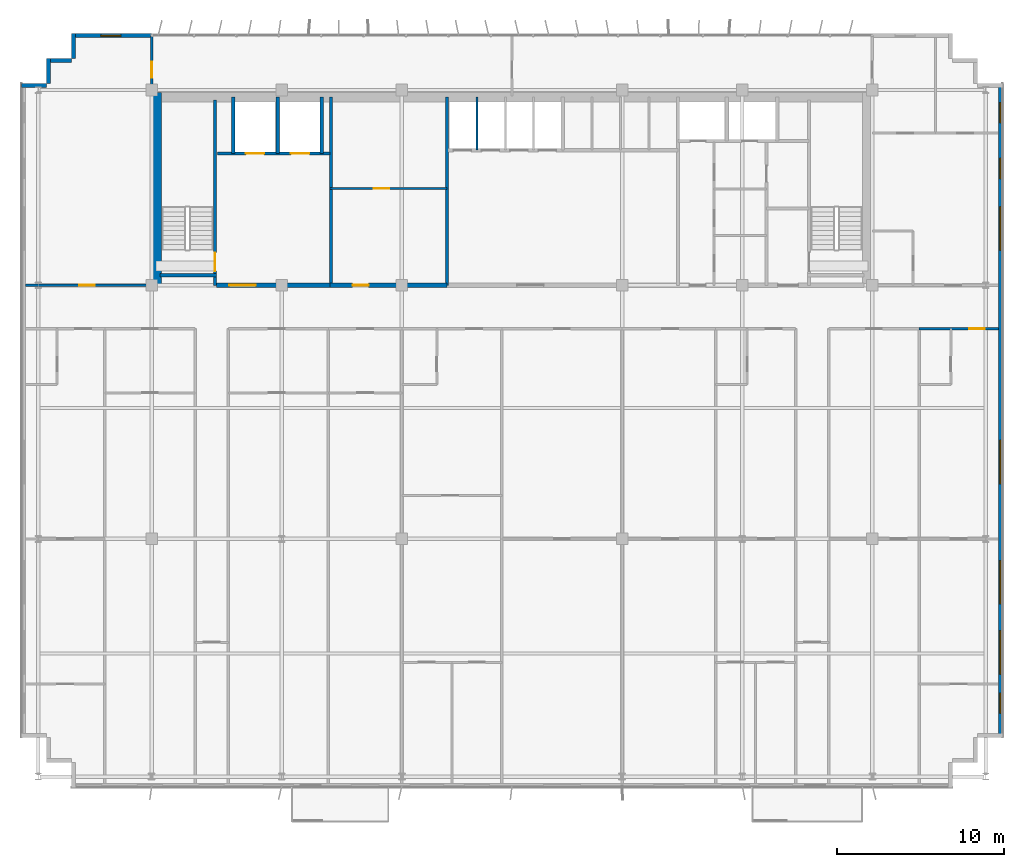
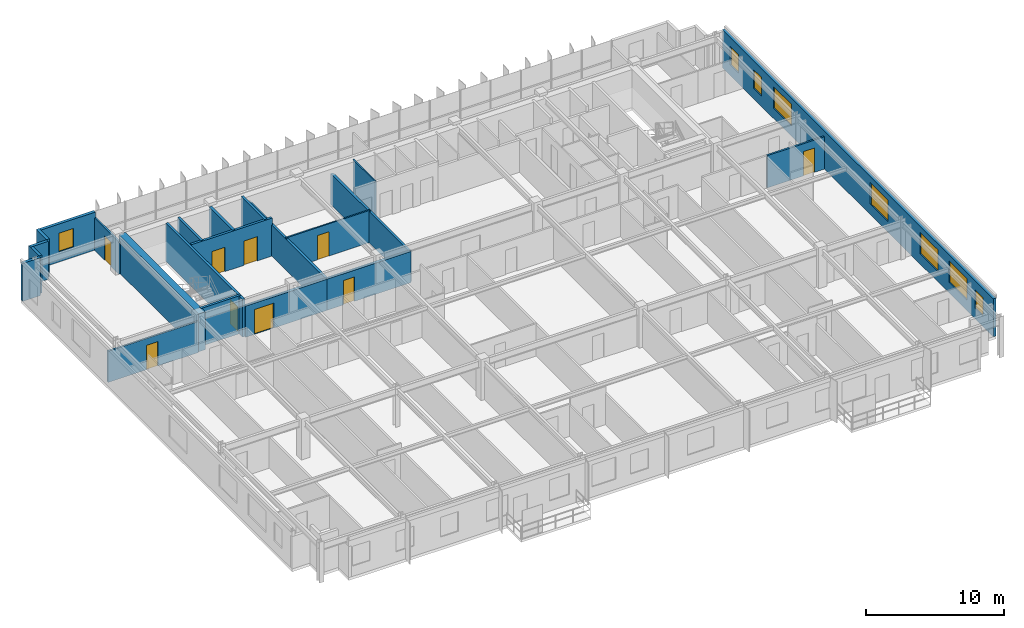
# One storey, part 17 of 21: 22 walls, 9 doors, 8 windows, 17 openings.
"""IFC4 building model written with IfcOpenShell, lengths in metres."""

from ifc_helpers import new_model, si_unit, direction, frame, frame_2d, origin, place, context, subcontext, project, spatial, rectangle, extrude, source, transform, mapped, material, layer, layer_set, type_object, element, fill, save


model = new_model("IFC4")

# Units and contexts
model_context = context("Model", 3, precision=1e-05, world=origin(), true_north=direction((0.0, 1.0)))
body_context = subcontext(model_context, "Body", "Model", "MODEL_VIEW")
ifc_project = project(units=[si_unit("LENGTHUNIT", "METRE"), si_unit("AREAUNIT", "SQUARE_METRE"), si_unit("VOLUMEUNIT", "CUBIC_METRE"), si_unit("PLANEANGLEUNIT", "RADIAN"), si_unit("MASSUNIT", "GRAM", prefix="KILO")], contexts=[model_context])

# Site, building, storey
site_placement = place(None, origin())
site = spatial("IfcSite", under=ifc_project, at=site_placement, CompositionType="ELEMENT")
building_placement = place(site_placement, origin())
building = spatial("IfcBuilding", under=site, at=building_placement, Name="Trelvane Seafront Commons", CompositionType="ELEMENT")
storey_placement = place(building_placement, frame((0.0, 0.0, 153.699951171875)))
storey = spatial("IfcBuildingStorey", under=building, at=storey_placement, Name="L40", CompositionType="ELEMENT", Elevation=153.699951171875)

# Wall, opening, window
ifc_material_1 = material(Name="Precast concrete C40/50", Category="concrete")
ifc_layer_1 = layer(ifc_material_1, 0.239990234375, Name="ARCH-WALL-EXT240")
ifc_layer_set_1 = layer_set([ifc_layer_1], Name="Precast concrete C40/50")
wall_type_1 = type_object("IfcWallType", Name="ARCH-WALL-EXT240", PredefinedType="SOLIDWALL", material=ifc_layer_set_1)
wall_1_placement = place(storey_placement, frame((10.89990234375, 48.3701171875, 0.0), z_axis=(0.0, 0.0, 1.0), x_axis=(1.0, 0.0, 0.0)))
wall_1 = element("IfcWall", 1, at=wall_1_placement, inside=storey, type_object=wall_type_1, Name="EW-L40-NW-0779", PredefinedType="SOLIDWALL", context=body_context, shape_type="SweptSolid", body=[
    extrude(rectangle(XDim=4.7001953125, YDim=0.239990234375, at=frame_2d((2.35009765625, 0.0))), origin(), (0.0, 0.0, 1.0), 3.35009765625),
])
opening_1_placement = place(wall_1_placement, frame((1.658935546875, 0.0, 0.89990234375)))
opening_1 = element("IfcOpeningElement", 2, at=opening_1_placement, cuts=wall_1, Name="Opening W05", PredefinedType="OPENING", context=body_context, shape_type="SweptSolid", body=[
    extrude(rectangle(XDim=1.199951171875, YDim=1.64990234375, at=frame_2d((0.60009765625, 0.824951171875))), frame((0.0, 0.1298828125, 0.0), z_axis=(0.0, -1.0, 0.0), x_axis=(1.0, 0.0, 0.0)), (0.0, 0.0, 1.0), 0.260009765625),
])
ifc_material_2 = material(Name="Low-E coastal double glazing", Category="glass")
window_type_1 = type_object("IfcWindowType", Name="ARCH-WIN-W05", PartitioningType="SINGLE_PANEL", PredefinedType="WINDOW", material=ifc_material_2)
shared_shape_1 = source(origin(), body_context, "Body", "SweptSolid", [
    extrude(rectangle(XDim=1.199951171875, YDim=1.64990234375, at=frame_2d((0.60009765625, 0.824951171875))), frame((0.0, 0.030029296875, 0.0), z_axis=(0.0, -1.0, 0.0), x_axis=(1.0, 0.0, 0.0)), (0.0, 0.0, 1.0), 0.06005859375),
])
window_1_placement = place(opening_1_placement, origin())
window_1 = element("IfcWindow", 3, at=window_1_placement, inside=storey, type_object=window_type_1, Name="WIN-L40-00925", OverallHeight=1.64990234375, OverallWidth=1.199951171875, PartitioningType="SINGLE_PANEL", PredefinedType="WINDOW", context=body_context, shape_type="MappedRepresentation", body=[
    mapped(shared_shape_1, transform((0.0, 0.0, 0.0), x_axis=(1.0, 0.0, 0.0), y_axis=(0.0, 1.0, 0.0), z_axis=(0.0, 0.0, 1.0), scale=1.0)),
])
fill(opening_1, window_1)

# Walls
for number, where, z_axis, x_axis, name in (
    (4, (7.800048828125, 45.3798828125, 0.0), (0.0, 0.0, 1.0), (1.0, 0.0, 0.0), "EW-L40-00785"),
    (5, (9.419921875, 45.5, 0.0), (0.0, 0.0, 1.0), (0.0, 1.0, 0.0), "EW-L40-00786"),
    (6, (9.300048828125, 46.8798828125, 0.0), (0.0, 0.0, 1.0), (1.0, 0.0, 0.0), "EW-L40-00787"),
    (7, (10.919921875, 47.0, 0.0), (0.0, 0.0, 1.0), (0.0, 1.0, 0.0), "EW-L40-00788"),
):
    element("IfcWall", number, at=place(storey_placement, frame(where, z_axis=z_axis, x_axis=x_axis)), inside=storey, type_object=wall_type_1, Name=name, PredefinedType="SOLIDWALL", context=body_context, shape_type="SweptSolid", body=[
        extrude(rectangle(XDim=1.5, YDim=0.239990234375, at=frame_2d((0.75, 0.0))), origin(), (0.0, 0.0, 1.0), 3.35009765625),
    ])

# Wall, openings, windows
wall_2_placement = place(storey_placement, frame((66.47998046875, 45.5, 0.0), z_axis=(0.0, 0.0, 1.0), x_axis=(0.0, -1.0, 0.0)))
wall_2 = element("IfcWall", 8, at=wall_2_placement, inside=storey, type_object=wall_type_1, Name="EW-L40-00793", PredefinedType="SOLIDWALL", context=body_context, shape_type="SweptSolid", body=[
    extrude(rectangle(XDim=39.199951171875, YDim=0.239990234375, at=frame_2d((19.60009765625, 0.0))), origin(), (0.0, 0.0, 1.0), 3.35009765625),
])
opening_2_placement = place(wall_2_placement, frame((36.550048828125, 0.0, 0.919921875)))
opening_2 = element("IfcOpeningElement", 9, at=opening_2_placement, cuts=wall_2, Name="Opening W05", PredefinedType="OPENING", context=body_context, shape_type="SweptSolid", body=[
    extrude(rectangle(XDim=1.199951171875, YDim=1.64990234375, at=frame_2d((0.60009765625, 0.824951171875))), frame((0.0, 0.1298828125, 0.0), z_axis=(0.0, -1.0, 0.0), x_axis=(1.0, 0.0, 0.0)), (0.0, 0.0, 1.0), 0.260009765625),
])
opening_3_placement = place(wall_2_placement, frame((32.800048828125, 0.0, 0.919921875)))
opening_3 = element("IfcOpeningElement", 10, at=opening_3_placement, cuts=wall_2, Name="Opening W04", PredefinedType="OPENING", context=body_context, shape_type="SweptSolid", body=[
    extrude(rectangle(XDim=2.60009765625, YDim=1.89990234375, at=frame_2d((1.300048828125, 0.949951171875))), frame((0.0, 0.1298828125, 0.0), z_axis=(0.0, -1.0, 0.0), x_axis=(1.0, 0.0, 0.0)), (0.0, 0.0, 1.0), 0.260009765625),
])
opening_4_placement = place(wall_2_placement, frame((28.60009765625, 0.0, 0.919921875)))
opening_4 = element("IfcOpeningElement", 11, at=opening_4_placement, cuts=wall_2, Name="Opening W04", PredefinedType="OPENING", context=body_context, shape_type="SweptSolid", body=[
    extrude(rectangle(XDim=2.60009765625, YDim=1.89990234375, at=frame_2d((1.300048828125, 0.949951171875))), frame((0.0, 0.1298828125, 0.0), z_axis=(0.0, -1.0, 0.0), x_axis=(1.0, 0.0, 0.0)), (0.0, 0.0, 1.0), 0.260009765625),
])
opening_5_placement = place(wall_2_placement, frame((21.39990234375, 0.0, 0.919921875)))
opening_5 = element("IfcOpeningElement", 12, at=opening_5_placement, cuts=wall_2, Name="Opening W04", PredefinedType="OPENING", context=body_context, shape_type="SweptSolid", body=[
    extrude(rectangle(XDim=2.60009765625, YDim=1.89990234375, at=frame_2d((1.300048828125, 0.949951171875))), frame((0.0, 0.1298828125, 0.0), z_axis=(0.0, -1.0, 0.0), x_axis=(1.0, 0.0, 0.0)), (0.0, 0.0, 1.0), 0.260009765625),
])
opening_6_placement = place(wall_2_placement, frame((7.39990234375, 0.0, 0.919921875)))
opening_6 = element("IfcOpeningElement", 13, at=opening_6_placement, cuts=wall_2, Name="Opening W04", PredefinedType="OPENING", context=body_context, shape_type="SweptSolid", body=[
    extrude(rectangle(XDim=2.60009765625, YDim=1.89990234375, at=frame_2d((1.300048828125, 0.949951171875))), frame((0.0, 0.1298828125, 0.0), z_axis=(0.0, -1.0, 0.0), x_axis=(1.0, 0.0, 0.0)), (0.0, 0.0, 1.0), 0.260009765625),
])
opening_7_placement = place(wall_2_placement, frame((4.5, 0.0, 0.919921875)))
opening_7 = element("IfcOpeningElement", 14, at=opening_7_placement, cuts=wall_2, Name="Opening W05", PredefinedType="OPENING", context=body_context, shape_type="SweptSolid", body=[
    extrude(rectangle(XDim=1.199951171875, YDim=1.64990234375, at=frame_2d((0.60009765625, 0.824951171875))), frame((0.0, 0.1298828125, 0.0), z_axis=(0.0, -1.0, 0.0), x_axis=(1.0, 0.0, 0.0)), (0.0, 0.0, 1.0), 0.260009765625),
])
opening_8_placement = place(wall_2_placement, frame((1.14990234375, 0.0, 0.919921875)))
opening_8 = element("IfcOpeningElement", 15, at=opening_8_placement, cuts=wall_2, Name="Opening W05", PredefinedType="OPENING", context=body_context, shape_type="SweptSolid", body=[
    extrude(rectangle(XDim=1.199951171875, YDim=1.64990234375, at=frame_2d((0.60009765625, 0.824951171875))), frame((0.0, 0.1298828125, 0.0), z_axis=(0.0, -1.0, 0.0), x_axis=(1.0, 0.0, 0.0)), (0.0, 0.0, 1.0), 0.260009765625),
])
window_type_2 = type_object("IfcWindowType", Name="ARCH-WIN-W04", PartitioningType="SINGLE_PANEL", PredefinedType="WINDOW", material=ifc_material_2)
shared_shape_2 = source(origin(), body_context, "Body", "SweptSolid", [
    extrude(rectangle(XDim=2.60009765625, YDim=1.89990234375, at=frame_2d((1.300048828125, 0.949951171875))), frame((0.0, 0.030029296875, 0.0), z_axis=(0.0, -1.0, 0.0), x_axis=(1.0, 0.0, 0.0)), (0.0, 0.0, 1.0), 0.06005859375),
])
window_2_placement = place(opening_3_placement, origin())
window_2 = element("IfcWindow", 16, at=window_2_placement, inside=storey, type_object=window_type_2, Name="WIN-L40-EW-00935", OverallHeight=1.89990234375, OverallWidth=2.60009765625, PartitioningType="SINGLE_PANEL", PredefinedType="WINDOW", context=body_context, shape_type="MappedRepresentation", body=[
    mapped(shared_shape_2, transform((0.0, 0.0, 0.0), x_axis=(1.0, 0.0, 0.0), y_axis=(0.0, 1.0, 0.0), z_axis=(0.0, 0.0, 1.0), scale=1.0)),
])
fill(opening_3, window_2)
window_3_placement = place(opening_4_placement, origin())
window_3 = element("IfcWindow", 17, at=window_3_placement, inside=storey, type_object=window_type_2, Name="WIN-L40-EW-00936", OverallHeight=1.89990234375, OverallWidth=2.60009765625, PartitioningType="SINGLE_PANEL", PredefinedType="WINDOW", context=body_context, shape_type="MappedRepresentation", body=[
    mapped(shared_shape_2, transform((0.0, 0.0, 0.0), x_axis=(1.0, 0.0, 0.0), y_axis=(0.0, 1.0, 0.0), z_axis=(0.0, 0.0, 1.0), scale=1.0)),
])
fill(opening_4, window_3)
window_4_placement = place(opening_5_placement, origin())
window_4 = element("IfcWindow", 18, at=window_4_placement, inside=storey, type_object=window_type_2, Name="WIN-L40-EW-00937", OverallHeight=1.89990234375, OverallWidth=2.60009765625, PartitioningType="SINGLE_PANEL", PredefinedType="WINDOW", context=body_context, shape_type="MappedRepresentation", body=[
    mapped(shared_shape_2, transform((0.0, 0.0, 0.0), x_axis=(1.0, 0.0, 0.0), y_axis=(0.0, 1.0, 0.0), z_axis=(0.0, 0.0, 1.0), scale=1.0)),
])
fill(opening_5, window_4)
window_5_placement = place(opening_6_placement, origin())
window_5 = element("IfcWindow", 19, at=window_5_placement, inside=storey, type_object=window_type_2, Name="WIN-L40-EW-00938", OverallHeight=1.89990234375, OverallWidth=2.60009765625, PartitioningType="SINGLE_PANEL", PredefinedType="WINDOW", context=body_context, shape_type="MappedRepresentation", body=[
    mapped(shared_shape_2, transform((0.0, 0.0, 0.0), x_axis=(1.0, 0.0, 0.0), y_axis=(0.0, 1.0, 0.0), z_axis=(0.0, 0.0, 1.0), scale=1.0)),
])
fill(opening_6, window_5)
window_6_placement = place(opening_2_placement, origin())
window_6 = element("IfcWindow", 20, at=window_6_placement, inside=storey, type_object=window_type_1, Name="WIN-L40-EW-00934", OverallHeight=1.64990234375, OverallWidth=1.199951171875, PartitioningType="SINGLE_PANEL", PredefinedType="WINDOW", context=body_context, shape_type="MappedRepresentation", body=[
    mapped(shared_shape_1, transform((0.0, 0.0, 0.0), x_axis=(1.0, 0.0, 0.0), y_axis=(0.0, 1.0, 0.0), z_axis=(0.0, 0.0, 1.0), scale=1.0)),
])
fill(opening_2, window_6)
window_7_placement = place(opening_7_placement, origin())
window_7 = element("IfcWindow", 21, at=window_7_placement, inside=storey, type_object=window_type_1, Name="WIN-L40-EW-00939", OverallHeight=1.64990234375, OverallWidth=1.199951171875, PartitioningType="SINGLE_PANEL", PredefinedType="WINDOW", context=body_context, shape_type="MappedRepresentation", body=[
    mapped(shared_shape_1, transform((0.0, 0.0, 0.0), x_axis=(1.0, 0.0, 0.0), y_axis=(0.0, 1.0, 0.0), z_axis=(0.0, 0.0, 1.0), scale=1.0)),
])
fill(opening_7, window_7)
window_8_placement = place(opening_8_placement, origin())
window_8 = element("IfcWindow", 22, at=window_8_placement, inside=storey, type_object=window_type_1, Name="WIN-L40-EW-00940", OverallHeight=1.64990234375, OverallWidth=1.199951171875, PartitioningType="SINGLE_PANEL", PredefinedType="WINDOW", context=body_context, shape_type="MappedRepresentation", body=[
    mapped(shared_shape_1, transform((0.0, 0.0, 0.0), x_axis=(1.0, 0.0, 0.0), y_axis=(0.0, 1.0, 0.0), z_axis=(0.0, 0.0, 1.0), scale=1.0)),
])
fill(opening_8, window_8)

# Wall, opening, door
ifc_material_3 = material(Name="Concrete C40/50", Category="concrete")
ifc_layer_2 = layer(ifc_material_3, 0.25, Name="ARCH-WALL-FIRE250")
ifc_layer_set_2 = layer_set([ifc_layer_2], Name="Concrete C40/50")
wall_type_2 = type_object("IfcWallType", Name="ARCH-WALL-FIRE250", PredefinedType="PARTITIONING", material=ifc_layer_set_2)
wall_3_placement = place(storey_placement, frame((19.5, 33.39990234375, 0.0), z_axis=(0.0, 0.0, 1.0), x_axis=(1.0, 0.0, 0.0)))
wall_3 = element("IfcWall", 23, at=wall_3_placement, inside=storey, type_object=wall_type_2, Name="W-L40-CS-FFL-013", PredefinedType="PARTITIONING", context=body_context, shape_type="SweptSolid", body=[
    extrude(rectangle(XDim=6.800048828125, YDim=0.25, at=frame_2d((3.39990234375, 0.0))), origin(), (0.0, 0.0, 1.0), 2.75),
])
opening_9_placement = place(wall_3_placement, frame((0.75, 0.0, 0.0)))
opening_9 = element("IfcOpeningElement", 24, at=opening_9_placement, cuts=wall_3, Name="Opening FD-L40-05", PredefinedType="OPENING", context=body_context, shape_type="SweptSolid", body=[
    extrude(rectangle(XDim=1.60009765625, YDim=2.199951171875, at=frame_2d((0.800048828125, 1.10009765625))), frame((0.0, 0.135009765625, 0.0), z_axis=(0.0, -1.0, 0.0), x_axis=(1.0, 0.0, 0.0)), (0.0, 0.0, 1.0), 0.27001953125),
])
ifc_material_4 = material(Name="Powder-coated aluminium frame", Category="aluminium")
door_type_1 = type_object("IfcDoorType", Name="ARCH-DR-FD60-1600", OperationType="DOUBLE_DOOR_SINGLE_SWING", PredefinedType="DOOR", material=ifc_material_4)
shared_shape_3 = source(origin(), body_context, "Body", "SweptSolid", [
    extrude(rectangle(XDim=1.60009765625, YDim=2.199951171875, at=frame_2d((0.800048828125, 1.10009765625))), frame((0.0, 0.02490234375, 0.0), z_axis=(0.0, -1.0, 0.0), x_axis=(1.0, 0.0, 0.0)), (0.0, 0.0, 1.0), 0.050048828125),
])
door_1_placement = place(opening_9_placement, origin())
door_1 = element("IfcDoor", 25, at=door_1_placement, inside=storey, type_object=door_type_1, Name="L40 Firefighting Lift Lobby Double Fire Door", OperationType="DOUBLE_DOOR_SINGLE_SWING", OverallHeight=2.199951171875, OverallWidth=1.60009765625, PredefinedType="DOOR", context=body_context, shape_type="MappedRepresentation", body=[
    mapped(shared_shape_3, transform((0.0, 0.0, 0.0), x_axis=(1.0, 0.0, 0.0), y_axis=(0.0, 1.0, 0.0), z_axis=(0.0, 0.0, 1.0), scale=1.0)),
])
fill(opening_9, door_1)

wall_4_placement = place(storey_placement, frame((26.300048828125, 33.39990234375, 0.0), z_axis=(0.0, 0.0, 1.0), x_axis=(1.0, 0.0, 0.0)))
wall_4 = element("IfcWall", 26, at=wall_4_placement, inside=storey, type_object=wall_type_2, Name="W-L40-CS-FPL-026", PredefinedType="PARTITIONING", context=body_context, shape_type="SweptSolid", body=[
    extrude(rectangle(XDim=7.0, YDim=0.25, at=frame_2d((3.5, 0.0))), origin(), (0.0, 0.0, 1.0), 2.75),
])
opening_10_placement = place(wall_4_placement, frame((1.35009765625, 0.0, 0.0)))
opening_10 = element("IfcOpeningElement", 27, at=opening_10_placement, cuts=wall_4, Name="Opening D-L40-11", PredefinedType="OPENING", context=body_context, shape_type="SweptSolid", body=[
    extrude(rectangle(XDim=0.949951171875, YDim=2.14990234375, at=frame_2d((0.47509765625, 1.074951171875))), frame((0.0, 0.135009765625, 0.0), z_axis=(0.0, -1.0, 0.0), x_axis=(1.0, 0.0, 0.0)), (0.0, 0.0, 1.0), 0.27001953125),
])
ifc_material_5 = material(Name="Acoustic timber door leaf", Category="wood")
door_type_2 = type_object("IfcDoorType", Name="ARCH-DR-INT950", OperationType="NOTDEFINED", PredefinedType="DOOR", material=ifc_material_5)
shared_shape_4 = source(origin(), body_context, "Body", "SweptSolid", [
    extrude(rectangle(XDim=0.949951171875, YDim=2.14990234375, at=frame_2d((0.47509765625, 1.074951171875))), frame((0.0, 0.02490234375, 0.0), z_axis=(0.0, -1.0, 0.0), x_axis=(1.0, 0.0, 0.0)), (0.0, 0.0, 1.0), 0.050048828125),
])
door_2_placement = place(opening_10_placement, origin())
door_2 = element("IfcDoor", 28, at=door_2_placement, inside=storey, type_object=door_type_2, Name="L40 Floor Pantry Entrance Door", OperationType="SINGLE_SWING_LEFT", OverallHeight=2.14990234375, OverallWidth=0.949951171875, PredefinedType="DOOR", context=body_context, shape_type="MappedRepresentation", body=[
    mapped(shared_shape_4, transform((0.0, 0.0, 0.0), x_axis=(1.0, 0.0, 0.0), y_axis=(0.0, 1.0, 0.0), z_axis=(0.0, 0.0, 1.0), scale=1.0)),
])
fill(opening_10, door_2)

ifc_material_6 = material(Name="Gypsum Drywall Acoustic Partition")
ifc_layer_3 = layer(ifc_material_6, 0.1201171875, Name="ARCH-WALL-PART120")
ifc_layer_set_3 = layer_set([ifc_layer_3], Name="Gypsum Drywall Acoustic Partition")
wall_type_3 = type_object("IfcWallType", Name="ARCH-WALL-PART120", PredefinedType="PARTITIONING", material=ifc_layer_set_3)
wall_5_placement = place(storey_placement, frame((26.300048828125, 39.199951171875, 0.0), z_axis=(0.0, 0.0, 1.0), x_axis=(1.0, 0.0, 0.0)))
wall_5 = element("IfcWall", 29, at=wall_5_placement, inside=storey, type_object=wall_type_3, Name="W-L40-FREED-PL-MID-014", PredefinedType="PARTITIONING", context=body_context, shape_type="SweptSolid", body=[
    extrude(rectangle(XDim=7.0, YDim=0.1201171875, at=frame_2d((3.5, 0.0))), origin(), (0.0, 0.0, 1.0), 2.85009765625),
])
opening_11_placement = place(wall_5_placement, frame((2.60009765625, 0.0, 0.0)))
opening_11 = element("IfcOpeningElement", 30, at=opening_11_placement, cuts=wall_5, Name="Opening D-L40-06", PredefinedType="OPENING", context=body_context, shape_type="SweptSolid", body=[
    extrude(rectangle(XDim=0.949951171875, YDim=2.14990234375, at=frame_2d((0.47509765625, 1.074951171875))), frame((0.0, 0.070068359375, 0.0), z_axis=(0.0, -1.0, 0.0), x_axis=(1.0, 0.0, 0.0)), (0.0, 0.0, 1.0), 0.14013671875),
])
door_3_placement = place(opening_11_placement, origin())
door_3 = element("IfcDoor", 31, at=door_3_placement, inside=storey, type_object=door_type_2, Name="L40 Housekeeping Store Door", OperationType="SINGLE_SWING_RIGHT", OverallHeight=2.14990234375, OverallWidth=0.949951171875, PredefinedType="DOOR", context=body_context, shape_type="MappedRepresentation", body=[
    mapped(shared_shape_4, transform((0.0, 0.0, 0.0), x_axis=(1.0, 0.0, 0.0), y_axis=(0.0, 1.0, 0.0), z_axis=(0.0, 0.0, 1.0), scale=1.0)),
])
fill(opening_11, door_3)

# Wall
wall_6_placement = place(storey_placement, frame((35.10009765625, 41.5, 0.0), z_axis=(0.0, 0.0, 1.0), x_axis=(0.0, 1.0, 0.0)))
element("IfcWall", 32, at=wall_6_placement, inside=storey, type_object=wall_type_3, Name="W-L40-PM-DIV1-017", PredefinedType="PARTITIONING", context=body_context, shape_type="SweptSolid", body=[
    extrude(rectangle(XDim=3.199951171875, YDim=0.1201171875, at=frame_2d((1.60009765625, 0.0))), origin(), (0.0, 0.0, 1.0), 3.35009765625),
])

# Wall, opening, door
ifc_layer_4 = layer(ifc_material_6, 0.14990234375, Name="ARCH-WALL-PART150")
ifc_layer_set_4 = layer_set([ifc_layer_4], Name="Gypsum Drywall Acoustic Partition")
wall_type_4 = type_object("IfcWallType", Name="ARCH-WALL-PART150", PredefinedType="PARTITIONING", material=ifc_layer_set_4)
wall_7_placement = place(storey_placement, frame((8.050048828125, 33.39990234375, 0.0), z_axis=(0.0, 0.0, 1.0), x_axis=(1.0, 0.0, 0.0)))
wall_7 = element("IfcWall", 33, at=wall_7_placement, inside=storey, type_object=wall_type_4, Name="W-L40-NW-ENT-037", PredefinedType="PARTITIONING", context=body_context, shape_type="SweptSolid", body=[
    extrude(rectangle(XDim=7.550048828125, YDim=0.14990234375, at=frame_2d((3.77490234375, 0.0))), origin(), (0.0, 0.0, 1.0), 2.75),
])
opening_12_placement = place(wall_7_placement, frame((3.199951171875, 0.0, 0.0)))
opening_12 = element("IfcOpeningElement", 34, at=opening_12_placement, cuts=wall_7, Name="Opening FD-L40-21", PredefinedType="OPENING", context=body_context, shape_type="SweptSolid", body=[
    extrude(rectangle(XDim=0.949951171875, YDim=2.14990234375, at=frame_2d((0.47509765625, 1.074951171875))), frame((0.0, 0.0849609375, 0.0), z_axis=(0.0, -1.0, 0.0), x_axis=(1.0, 0.0, 0.0)), (0.0, 0.0, 1.0), 0.169921875),
])
door_type_3 = type_object("IfcDoorType", Name="ARCH-DR-FD60-950", OperationType="NOTDEFINED", PredefinedType="DOOR", material=ifc_material_4)
door_4_placement = place(opening_12_placement, origin())
door_4 = element("IfcDoor", 35, at=door_4_placement, inside=storey, type_object=door_type_3, Name="L40 NW Suite Entrance Door", OperationType="SINGLE_SWING_LEFT", OverallHeight=2.14990234375, OverallWidth=0.949951171875, PredefinedType="DOOR", context=body_context, shape_type="MappedRepresentation", body=[
    mapped(shared_shape_4, transform((0.0, 0.0, 0.0), x_axis=(1.0, 0.0, 0.0), y_axis=(0.0, 1.0, 0.0), z_axis=(0.0, 0.0, 1.0), scale=1.0)),
])
fill(opening_12, door_4)

wall_8_placement = place(storey_placement, frame((15.60009765625, 44.75, 0.0), z_axis=(0.0, 0.0, 1.0), x_axis=(0.0, 1.0, 0.0)))
wall_8 = element("IfcWall", 36, at=wall_8_placement, inside=storey, type_object=wall_type_4, Name="W-L40-N-LINK-W-045", PredefinedType="PARTITIONING", context=body_context, shape_type="SweptSolid", body=[
    extrude(rectangle(XDim=3.610107421875, YDim=0.14990234375, at=frame_2d((1.80517578125, 0.0))), origin(), (0.0, 0.0, 1.0), 2.85009765625),
])
opening_13_placement = place(wall_8_placement, frame((1.10009765625, 0.0, 0.0)))
opening_13 = element("IfcOpeningElement", 37, at=opening_13_placement, cuts=wall_8, Name="Opening FD-L40-27", PredefinedType="OPENING", context=body_context, shape_type="SweptSolid", body=[
    extrude(rectangle(XDim=0.949951171875, YDim=2.14990234375, at=frame_2d((0.47509765625, 1.074951171875))), frame((0.0, 0.0849609375, 0.0), z_axis=(0.0, -1.0, 0.0), x_axis=(1.0, 0.0, 0.0)), (0.0, 0.0, 1.0), 0.169921875),
])
door_5_placement = place(opening_13_placement, origin())
door_5 = element("IfcDoor", 38, at=door_5_placement, inside=storey, type_object=door_type_3, Name="L40 Door 27", OperationType="SINGLE_SWING_LEFT", OverallHeight=2.14990234375, OverallWidth=0.949951171875, PredefinedType="DOOR", context=body_context, shape_type="MappedRepresentation", body=[
    mapped(shared_shape_4, transform((0.0, 0.0, 0.0), x_axis=(1.0, 0.0, 0.0), y_axis=(0.0, 1.0, 0.0), z_axis=(0.0, 0.0, 1.0), scale=1.0)),
])
fill(opening_13, door_5)

wall_9_placement = place(storey_placement, frame((61.60009765625, 30.800048828125, 0.0), z_axis=(0.0, 0.0, 1.0), x_axis=(1.0, 0.0, 0.0)))
wall_9 = element("IfcWall", 39, at=wall_9_placement, inside=storey, type_object=wall_type_4, Name="W-L40-CS-BAY-12-094", PredefinedType="PARTITIONING", context=body_context, shape_type="SweptSolid", body=[
    extrude(rectangle(XDim=4.77490234375, YDim=0.14990234375, at=frame_2d((2.387451171875, 0.0))), origin(), (0.0, 0.0, 1.0), 2.85009765625),
])
opening_14_placement = place(wall_9_placement, frame((2.993896484375, 0.0, 0.0)))
opening_14 = element("IfcOpeningElement", 40, at=opening_14_placement, cuts=wall_9, Name="Opening FD-L40-59", PredefinedType="OPENING", context=body_context, shape_type="SweptSolid", body=[
    extrude(rectangle(XDim=0.949951171875, YDim=2.14990234375, at=frame_2d((0.47509765625, 1.074951171875))), frame((0.0, 0.0849609375, 0.0), z_axis=(0.0, -1.0, 0.0), x_axis=(1.0, 0.0, 0.0)), (0.0, 0.0, 1.0), 0.169921875),
])
door_6_placement = place(opening_14_placement, origin())
door_6 = element("IfcDoor", 41, at=door_6_placement, inside=storey, type_object=door_type_3, Name="L40 Unit 12 Entrance Door", OperationType="SINGLE_SWING_LEFT", OverallHeight=2.14990234375, OverallWidth=0.949951171875, PredefinedType="DOOR", context=body_context, shape_type="MappedRepresentation", body=[
    mapped(shared_shape_4, transform((0.0, 0.0, 0.0), x_axis=(1.0, 0.0, 0.0), y_axis=(0.0, 1.0, 0.0), z_axis=(0.0, 0.0, 1.0), scale=1.0)),
])
fill(opening_14, door_6)

# Wall, openings, doors
ifc_layer_5 = layer(ifc_material_3, 0.199951171875, Name="ARCH-WALL-SHAFT200")
ifc_layer_set_5 = layer_set([ifc_layer_5], Name="Concrete C40/50")
wall_type_5 = type_object("IfcWallType", Name="ARCH-WALL-SHAFT200", PredefinedType="SOLIDWALL", material=ifc_layer_set_5)
wall_10_placement = place(storey_placement, frame((19.550048828125, 41.300048828125, 0.0), z_axis=(0.0, 0.0, 1.0), x_axis=(1.0, 0.0, 0.0)))
wall_10 = element("IfcWall", 42, at=wall_10_placement, inside=storey, type_object=wall_type_5, Name="W-L40-FFL-FRONT-008", PredefinedType="SOLIDWALL", context=body_context, shape_type="SweptSolid", body=[
    extrude(rectangle(XDim=6.75, YDim=0.199951171875, at=frame_2d((3.375, 0.0))), origin(), (0.0, 0.0, 1.0), 3.35009765625),
])
opening_15_placement = place(wall_10_placement, frame((1.699951171875, 0.0, 0.0)))
opening_15 = element("IfcOpeningElement", 43, at=opening_15_placement, cuts=wall_10, Name="Opening LD-FF1-L40", PredefinedType="OPENING", context=body_context, shape_type="SweptSolid", body=[
    extrude(rectangle(XDim=1.10009765625, YDim=2.14990234375, at=frame_2d((0.550048828125, 1.074951171875))), frame((0.0, 0.10986328125, 0.0), z_axis=(0.0, -1.0, 0.0), x_axis=(1.0, 0.0, 0.0)), (0.0, 0.0, 1.0), 0.219970703125),
])
opening_16_placement = place(wall_10_placement, frame((4.39990234375, 0.0, 0.0)))
opening_16 = element("IfcOpeningElement", 44, at=opening_16_placement, cuts=wall_10, Name="Opening LD-FF2-L40", PredefinedType="OPENING", context=body_context, shape_type="SweptSolid", body=[
    extrude(rectangle(XDim=1.10009765625, YDim=2.14990234375, at=frame_2d((0.550048828125, 1.074951171875))), frame((0.0, 0.10986328125, 0.0), z_axis=(0.0, -1.0, 0.0), x_axis=(1.0, 0.0, 0.0)), (0.0, 0.0, 1.0), 0.219970703125),
])
ifc_material_7 = material(Name="Stainless steel balustrade", Category="steel")
door_type_4 = type_object("IfcDoorType", Name="ARCH-DR-LD1100", OperationType="DOUBLE_DOOR_SLIDING", PredefinedType="DOOR", material=ifc_material_7)
shared_shape_5 = source(origin(), body_context, "Body", "SweptSolid", [
    extrude(rectangle(XDim=1.10009765625, YDim=2.14990234375, at=frame_2d((0.550048828125, 1.074951171875))), frame((0.0, 0.02490234375, 0.0), z_axis=(0.0, -1.0, 0.0), x_axis=(1.0, 0.0, 0.0)), (0.0, 0.0, 1.0), 0.050048828125),
])
door_7_placement = place(opening_15_placement, origin())
door_7 = element("IfcDoor", 45, at=door_7_placement, inside=storey, type_object=door_type_4, Name="L40 Firefighting Lift FFL-1 Landing Door", OperationType="DOUBLE_DOOR_SLIDING", OverallHeight=2.14990234375, OverallWidth=1.10009765625, PredefinedType="DOOR", context=body_context, shape_type="MappedRepresentation", body=[
    mapped(shared_shape_5, transform((0.0, 0.0, 0.0), x_axis=(1.0, 0.0, 0.0), y_axis=(0.0, 1.0, 0.0), z_axis=(0.0, 0.0, 1.0), scale=1.0)),
])
fill(opening_15, door_7)
door_8_placement = place(opening_16_placement, origin())
door_8 = element("IfcDoor", 46, at=door_8_placement, inside=storey, type_object=door_type_4, Name="L40 Firefighting Lift FFL-2 Landing Door", OperationType="DOUBLE_DOOR_SLIDING", OverallHeight=2.14990234375, OverallWidth=1.10009765625, PredefinedType="DOOR", context=body_context, shape_type="MappedRepresentation", body=[
    mapped(shared_shape_5, transform((0.0, 0.0, 0.0), x_axis=(1.0, 0.0, 0.0), y_axis=(0.0, 1.0, 0.0), z_axis=(0.0, 0.0, 1.0), scale=1.0)),
])
fill(opening_16, door_8)

# Walls
for number, where, z_axis, x_axis, name in (
    (47, (20.5, 41.300048828125, 0.0), (0.0, 0.0, 1.0), (0.0, 1.0, 0.0), "W-L40-FFL-SH-W-009"),
    (48, (23.14990234375, 41.300048828125, 0.0), (0.0, 0.0, 1.0), (0.0, 1.0, 0.0), "W-L40-FFL-DIV-010"),
    (49, (25.800048828125, 41.300048828125, 0.0), (0.0, 0.0, 1.0), (0.0, 1.0, 0.0), "W-L40-FFL-SH-E-011"),
):
    element("IfcWall", number, at=place(storey_placement, frame(where, z_axis=z_axis, x_axis=x_axis)), inside=storey, type_object=wall_type_5, Name=name, PredefinedType="SOLIDWALL", context=body_context, shape_type="SweptSolid", body=[
        extrude(rectangle(XDim=3.39990234375, YDim=0.199951171875, at=frame_2d((1.699951171875, 0.0))), origin(), (0.0, 0.0, 1.0), 3.35009765625),
    ])
for number, where, z_axis, x_axis, name in (
    (50, (26.35009765625, 33.39990234375, 0.0), (0.0, 0.0, 1.0), (0.0, 1.0, 0.0), "W-L40-FFL-EAST-012"),
    (51, (33.300048828125, 33.39990234375, 0.0), (0.0, 0.0, 1.0), (0.0, 1.0, 0.0), "W-L40-FREED-PL-E-015"),
):
    element("IfcWall", number, at=place(storey_placement, frame(where, z_axis=z_axis, x_axis=x_axis)), inside=storey, type_object=wall_type_5, Name=name, PredefinedType="SOLIDWALL", context=body_context, shape_type="SweptSolid", body=[
        extrude(rectangle(XDim=11.300048828125, YDim=0.199951171875, at=frame_2d((5.64990234375, 0.0))), origin(), (0.0, 0.0, 1.0), 2.75),
    ])
ifc_material_8 = material(Name="Concrete C50/60", Category="concrete")
ifc_layer_6 = layer(ifc_material_8, 0.550048828125, Name="STR-WALL-CORE550")
ifc_layer_set_6 = layer_set([ifc_layer_6], Name="Concrete C50/60")
wall_type_6 = type_object("IfcWallType", Name="STR-WALL-CORE550", PredefinedType="SHEAR", material=ifc_layer_set_6)
wall_11_placement = place(storey_placement, frame((15.925048828125, 33.39990234375, 0.0), z_axis=(0.0, 0.0, 1.0), x_axis=(0.0, 1.0, 0.0)))
element("IfcWall", 52, at=wall_11_placement, inside=storey, type_object=wall_type_6, Name="W-L40-CW-END-002", PredefinedType="SHEAR", context=body_context, shape_type="SweptSolid", body=[
    extrude(rectangle(XDim=11.550048828125, YDim=0.550048828125, at=frame_2d((5.77490234375, 0.0))), origin(), (0.0, 0.0, 1.0), 3.35009765625),
])
ifc_layer_7 = layer(ifc_material_8, 0.199951171875, Name="STR-WALL-STAIR200")
ifc_layer_set_7 = layer_set([ifc_layer_7], Name="Concrete C50/60")
wall_type_7 = type_object("IfcWallType", Name="STR-WALL-STAIR200", PredefinedType="SHEAR", material=ifc_layer_set_7)
wall_12_placement = place(storey_placement, frame((16.10009765625, 34.0, 0.0), z_axis=(0.0, 0.0, 1.0), x_axis=(1.0, 0.0, 0.0)))
element("IfcWall", 53, at=wall_12_placement, inside=storey, type_object=wall_type_7, Name="W-L40-ST1-S-004", PredefinedType="SHEAR", context=body_context, shape_type="SweptSolid", body=[
    extrude(rectangle(XDim=3.39990234375, YDim=0.199951171875, at=frame_2d((1.699951171875, 0.0))), origin(), (0.0, 0.0, 1.0), 3.35009765625),
])

# Wall, opening, door
wall_13_placement = place(storey_placement, frame((19.39990234375, 33.39990234375, 0.0), z_axis=(0.0, 0.0, 1.0), x_axis=(0.0, 1.0, 0.0)))
wall_13 = element("IfcWall", 54, at=wall_13_placement, inside=storey, type_object=wall_type_7, Name="W-L40-ST1-E-005", PredefinedType="SHEAR", context=body_context, shape_type="SweptSolid", body=[
    extrude(rectangle(XDim=11.10009765625, YDim=0.199951171875, at=frame_2d((5.550048828125, 0.0))), origin(), (0.0, 0.0, 1.0), 3.35009765625),
])
opening_17_placement = place(wall_13_placement, frame((0.85009765625, 0.0, 0.0)))
opening_17 = element("IfcOpeningElement", 55, at=opening_17_placement, cuts=wall_13, Name="Opening ST-D1-L40", PredefinedType="OPENING", context=body_context, shape_type="SweptSolid", body=[
    extrude(rectangle(XDim=1.10009765625, YDim=2.14990234375, at=frame_2d((0.550048828125, 1.074951171875))), frame((0.0, 0.10986328125, 0.0), z_axis=(0.0, -1.0, 0.0), x_axis=(1.0, 0.0, 0.0)), (0.0, 0.0, 1.0), 0.219970703125),
])
door_type_5 = type_object("IfcDoorType", Name="ARCH-DR-FD90-1100", OperationType="NOTDEFINED", PredefinedType="DOOR", material=ifc_material_4)
door_9_placement = place(opening_17_placement, origin())
door_9 = element("IfcDoor", 56, at=door_9_placement, inside=storey, type_object=door_type_5, Name="L40 Stair ST-1 Lobby Fire Door", OperationType="SINGLE_SWING_LEFT", OverallHeight=2.14990234375, OverallWidth=1.10009765625, PredefinedType="DOOR", context=body_context, shape_type="MappedRepresentation", body=[
    mapped(shared_shape_5, transform((0.0, 0.0, 0.0), x_axis=(1.0, 0.0, 0.0), y_axis=(0.0, 1.0, 0.0), z_axis=(0.0, 0.0, 1.0), scale=1.0)),
])
fill(opening_17, door_9)

save(model, "model.ifc")
